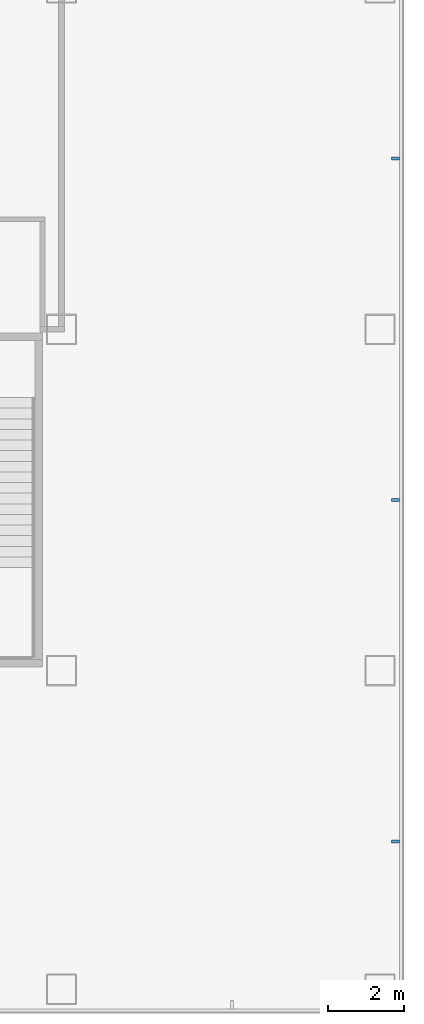
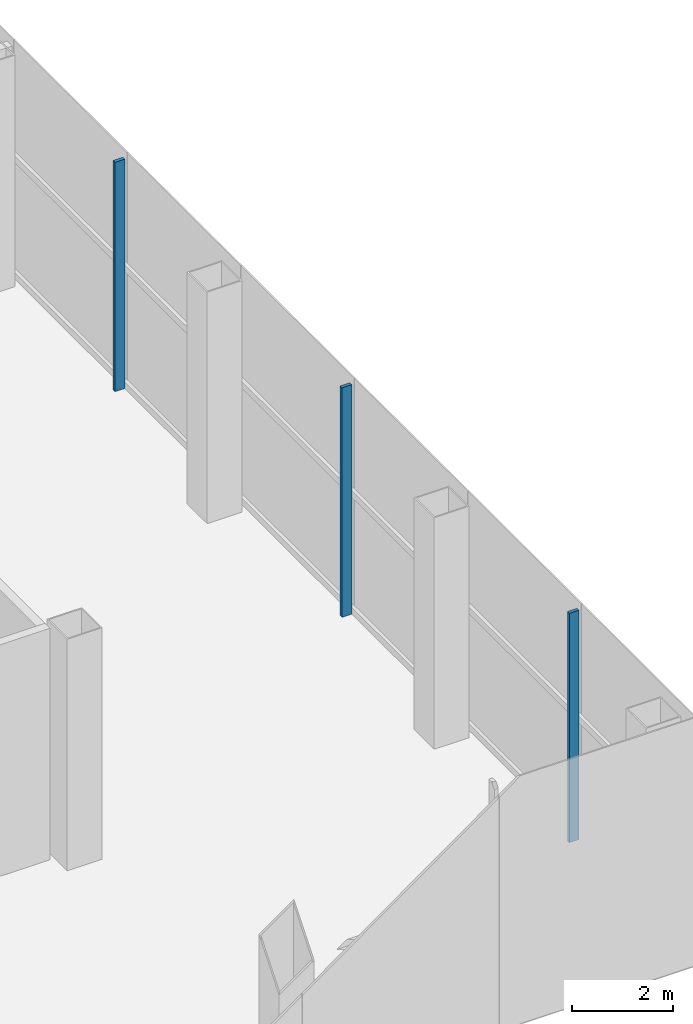
# One storey, part 13 of 33: 3 members, 1 element without a shape of its own.
"""IFC4 building model written with IfcOpenShell, lengths in metres."""

from ifc_helpers import new_model, si_unit, direction, frame, origin, origin_2d, place, context, subcontext, project, spatial, rectangle, extrude, material, layer, layer_set, material_profile, profile_set, type_object, element, aggregate, save


model = new_model("IFC4")

# Units and contexts
model_context = context("Model", 3, precision=1e-05, world=origin(), true_north=direction((0.0, 1.0)))
body_context = subcontext(model_context, "Body", "Model", "MODEL_VIEW")
ifc_project = project(units=[si_unit("LENGTHUNIT", "METRE"), si_unit("AREAUNIT", "SQUARE_METRE"), si_unit("VOLUMEUNIT", "CUBIC_METRE"), si_unit("PLANEANGLEUNIT", "RADIAN"), si_unit("MASSUNIT", "GRAM", prefix="KILO")], contexts=[model_context])

# Site, building, storey
site_placement = place(None, origin())
site = spatial("IfcSite", under=ifc_project, at=site_placement, CompositionType="ELEMENT")
building_placement = place(site_placement, origin())
building = spatial("IfcBuilding", under=site, at=building_placement, Name="Shamsa Quay Exchange Towers", CompositionType="ELEMENT")
storey_placement = place(building_placement, frame((0.0, 0.0, 6.5)))
storey = spatial("IfcBuildingStorey", under=building, at=storey_placement, Name="L01", CompositionType="ELEMENT", Elevation=6.5)

# Curtain wall, members
ifc_material = material(Name="Aluminium EN AW-6063 T6, black anodised", Category="aluminium")
ifc_layer = layer(ifc_material, 0.33203125)
ifc_layer_set = layer_set([ifc_layer], Name="CW-3 PODIUM SHOPFRONT GLAZING")
curtain_wall_type = type_object("IfcCurtainWallType", Name="CW-3 PODIUM SHOPFRONT GLAZING", PredefinedType="NOTDEFINED", material=ifc_layer_set)
curtain_wall_placement = place(storey_placement, origin())
curtain_wall = element("IfcCurtainWall", 1, at=curtain_wall_placement, inside=storey, type_object=curtain_wall_type, Name="CW3 PODIUM-L01-F00", PredefinedType="NOTDEFINED")
ifc_material_profile = material_profile(ifc_material, rectangle(XDim=0.219970703125, YDim=0.080078125, at=origin_2d()), Name="MU80x220")
ifc_profile_set = profile_set([ifc_material_profile], Name="Aluminium EN AW-6063 T6, black anodised")
member_type = type_object("IfcMemberType", Name="CW3 MULLION 80x220", PredefinedType="MULLION", material=ifc_profile_set)
member_1_placement = place(storey_placement, frame((62.81005859375, -33.75, 0.0), z_axis=(0.0, 0.0, 1.0), x_axis=(-1.0, 0.0, 0.0)))
member_1 = element("IfcMember", 2, at=member_1_placement, type_object=member_type, Name="CW3 mullion", PredefinedType="MULLION", context=body_context, shape_type="SweptSolid", body=[
    extrude(rectangle(XDim=0.219970703125, YDim=0.080078125, at=origin_2d()), origin(), (0.0, 0.0, 1.0), 5.550048828125),
])
member_2_placement = place(storey_placement, frame((62.81005859375, -24.75, 0.0), z_axis=(0.0, 0.0, 1.0), x_axis=(-1.0, 0.0, 0.0)))
member_2 = element("IfcMember", 3, at=member_2_placement, type_object=member_type, Name="CW3 mullion", PredefinedType="MULLION", context=body_context, shape_type="SweptSolid", body=[
    extrude(rectangle(XDim=0.219970703125, YDim=0.080078125, at=origin_2d()), origin(), (0.0, 0.0, 1.0), 5.550048828125),
])
member_3_placement = place(storey_placement, frame((62.81005859375, -15.75, 0.0), z_axis=(0.0, 0.0, 1.0), x_axis=(-1.0, 0.0, 0.0)))
member_3 = element("IfcMember", 4, at=member_3_placement, type_object=member_type, Name="CW3 mullion", PredefinedType="MULLION", context=body_context, shape_type="SweptSolid", body=[
    extrude(rectangle(XDim=0.219970703125, YDim=0.080078125, at=origin_2d()), origin(), (0.0, 0.0, 1.0), 5.550048828125),
])
aggregate(curtain_wall, [member_1, member_2, member_3])

save(model, "model.ifc")
